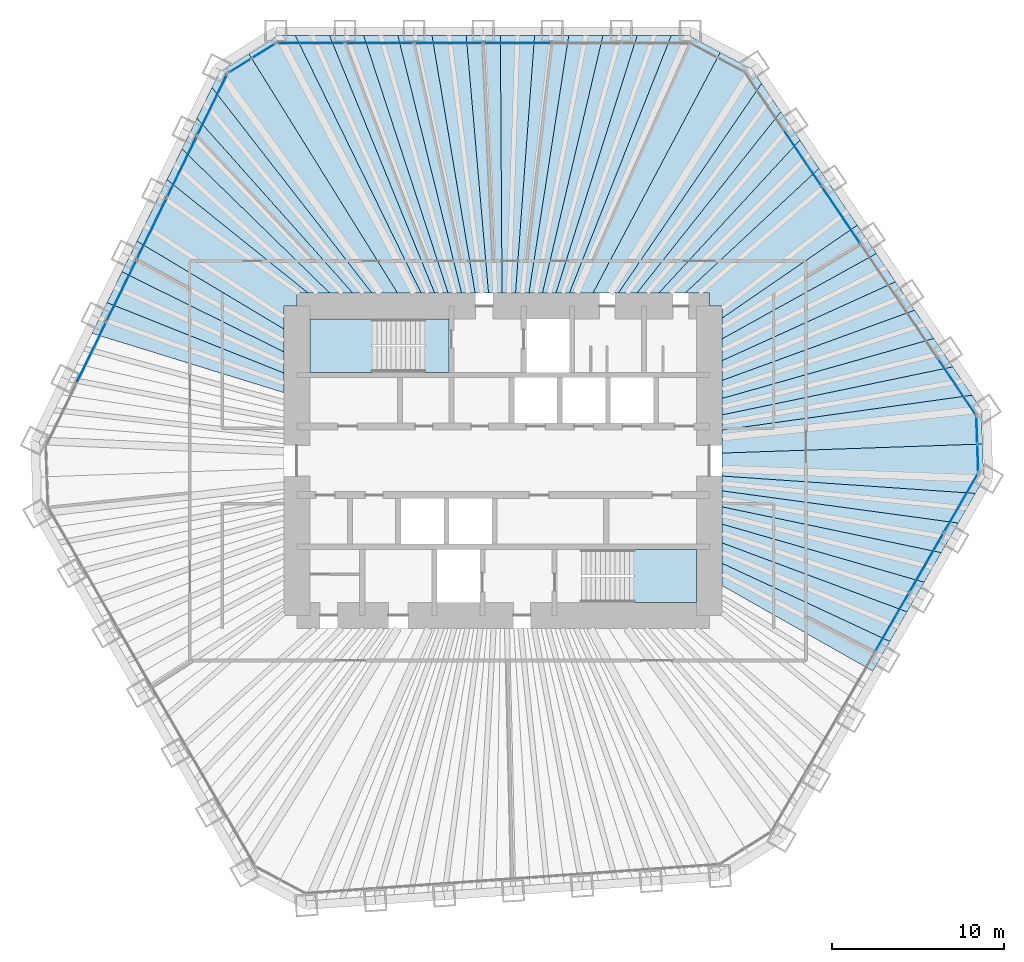
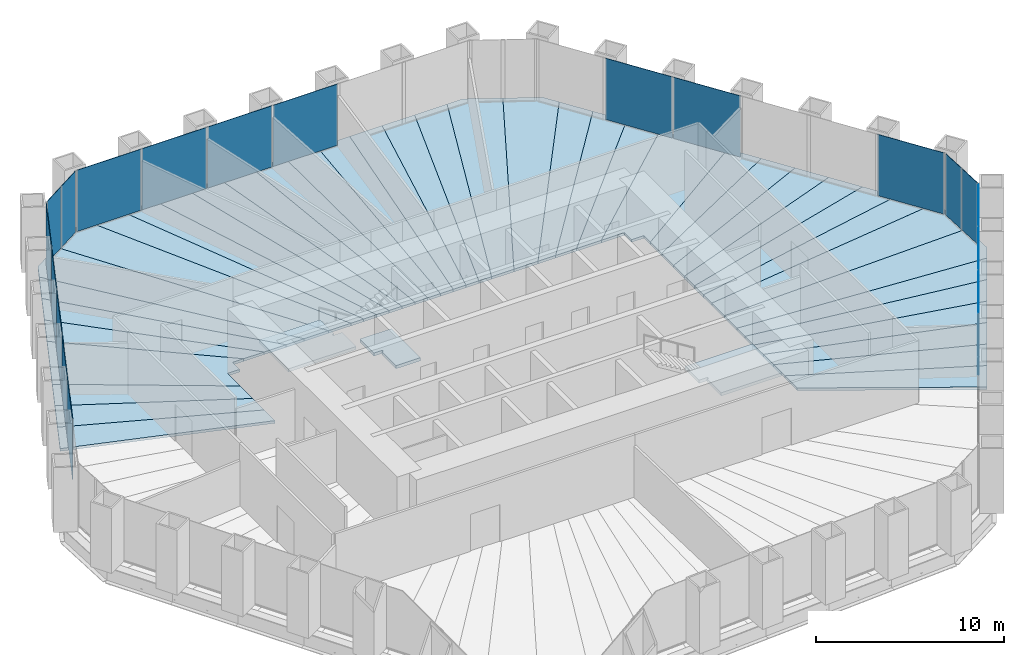
# One storey, part 9 of 13: 43 slabs, 19 plates, 8 elements without a shape of their own.
"""IFC4 building model written with IfcOpenShell, lengths in metres."""

from ifc_helpers import new_model, si_unit, direction, frame, origin, origin_2d, place, context, subcontext, project, spatial, polyline, rectangle, outline, extrude, material, layer, layer_set, type_object, element, aggregate, save


model = new_model("IFC4")

# Units and contexts
model_context = context("Model", 3, precision=1e-05, world=origin(), true_north=direction((0.0, 1.0)))
body_context = subcontext(model_context, "Body", "Model", "MODEL_VIEW")
ifc_project = project(units=[si_unit("LENGTHUNIT", "METRE"), si_unit("AREAUNIT", "SQUARE_METRE"), si_unit("VOLUMEUNIT", "CUBIC_METRE"), si_unit("PLANEANGLEUNIT", "RADIAN"), si_unit("MASSUNIT", "GRAM", prefix="KILO")], contexts=[model_context])

# Site, building, storey
site_placement = place(None, origin())
site = spatial("IfcSite", under=ifc_project, at=site_placement, CompositionType="ELEMENT")
building_placement = place(site_placement, origin())
building = spatial("IfcBuilding", under=site, at=building_placement, Name="Qingtian Harvest Tower", CompositionType="ELEMENT")
storey_placement = place(building_placement, frame((0.0, 0.0, 145.0)))
storey = spatial("IfcBuildingStorey", under=building, at=storey_placement, Name="L30", CompositionType="ELEMENT", Elevation=145.0)

# Slabs
ifc_material_1 = material(Name="Concrete fc' 35 MPa", Category="concrete")
ifc_layer_1 = layer(ifc_material_1, 0.169921875)
ifc_layer_set_1 = layer_set([ifc_layer_1], Name="Composite floor slab FS17 170")
slab_type_1 = type_object("IfcSlabType", Name="Composite floor slab FS17 170", PredefinedType="FLOOR", material=ifc_layer_set_1)
slab_1_placement = place(storey_placement, frame((0.0, 0.0, -0.169921875)))
element("IfcSlab", 1, at=slab_1_placement, inside=storey, type_object=slab_type_1, Name="Floor slab L30 panel D33", PredefinedType="FLOOR", context=body_context, shape_type="SweptSolid", body=[
    extrude(outline(polyline([(12.75, -5.97021484375), (22.51220703125, -10.517578125), (21.517333984375, -12.24072265625), (12.75, -7.268798828125), (12.75, -5.97021484375)])), origin(), (0.0, 0.0, 1.0), 0.169921875),
])
slab_2_placement = place(storey_placement, frame((0.0, 0.0, -0.169921875)))
element("IfcSlab", 2, at=slab_2_placement, inside=storey, type_object=slab_type_1, Name="Floor slab L30 panel D34", PredefinedType="FLOOR", context=body_context, shape_type="SweptSolid", body=[
    extrude(outline(polyline([(12.75, -4.78173828125), (23.50732421875, -8.794189453125), (22.51220703125, -10.517578125), (12.75, -5.97021484375), (12.75, -4.78173828125)])), origin(), (0.0, 0.0, 1.0), 0.169921875),
])
slab_3_placement = place(storey_placement, frame((0.0, 0.0, -0.169921875)))
element("IfcSlab", 3, at=slab_3_placement, inside=storey, type_object=slab_type_1, Name="Floor slab L30 panel D35", PredefinedType="FLOOR", context=body_context, shape_type="SweptSolid", body=[
    extrude(outline(polyline([(12.75, -3.68994140625), (24.502197265625, -7.071044921875), (23.50732421875, -8.794189453125), (12.75, -4.78173828125), (12.75, -3.68994140625)])), origin(), (0.0, 0.0, 1.0), 0.169921875),
])
slab_4_placement = place(storey_placement, frame((0.0, 0.0, -0.169921875)))
element("IfcSlab", 4, at=slab_4_placement, inside=storey, type_object=slab_type_1, Name="Floor slab L30 panel D36", PredefinedType="FLOOR", context=body_context, shape_type="SweptSolid", body=[
    extrude(outline(polyline([(12.75, -2.683349609375), (25.4970703125, -5.34765625), (24.502197265625, -7.071044921875), (12.75, -3.68994140625), (12.75, -2.683349609375)])), origin(), (0.0, 0.0, 1.0), 0.169921875),
])
slab_5_placement = place(storey_placement, frame((0.0, 0.0, -0.169921875)))
element("IfcSlab", 5, at=slab_5_placement, inside=storey, type_object=slab_type_1, Name="Floor slab L30 panel D37", PredefinedType="FLOOR", context=body_context, shape_type="SweptSolid", body=[
    extrude(outline(polyline([(12.75, -1.752685546875), (26.4921875, -3.624267578125), (25.4970703125, -5.34765625), (12.75, -2.683349609375), (12.75, -1.752685546875)])), origin(), (0.0, 0.0, 1.0), 0.169921875),
])
slab_6_placement = place(storey_placement, frame((0.0, 0.0, -0.169921875)))
element("IfcSlab", 6, at=slab_6_placement, inside=storey, type_object=slab_type_1, Name="Floor slab L30 panel D38", PredefinedType="FLOOR", context=body_context, shape_type="SweptSolid", body=[
    extrude(outline(polyline([(12.75, -0.889404296875), (27.487060546875, -1.901123046875), (26.4921875, -3.624267578125), (12.75, -1.752685546875), (12.75, -0.889404296875)])), origin(), (0.0, 0.0, 1.0), 0.169921875),
])
slab_7_placement = place(storey_placement, frame((0.0, 0.0, -0.169921875)))
element("IfcSlab", 7, at=slab_7_placement, inside=storey, type_object=slab_type_1, Name="Floor slab L30 panel D39", PredefinedType="FLOOR", context=body_context, shape_type="SweptSolid", body=[
    extrude(outline(polyline([(12.75, -0.889404296875), (12.75, 0.447509765625), (27.90185546875, 0.974365234375), (27.972900390625, -1.059814453125), (27.487060546875, -1.901123046875), (12.75, -0.889404296875)])), origin(), (0.0, 0.0, 1.0), 0.169921875),
])
slab_8_placement = place(storey_placement, frame((0.0, 0.0, -0.169921875)))
element("IfcSlab", 8, at=slab_8_placement, inside=storey, type_object=slab_type_1, Name="Floor slab L30 panel D40", PredefinedType="FLOOR", context=body_context, shape_type="SweptSolid", body=[
    extrude(outline(polyline([(12.75, 0.447509765625), (12.75, 1.79052734375), (27.287353515625, 3.81396484375), (27.830810546875, 3.008544921875), (27.90185546875, 0.974365234375), (12.75, 0.447509765625)])), origin(), (0.0, 0.0, 1.0), 0.169921875),
])
slab_9_placement = place(storey_placement, frame((0.0, 0.0, -0.169921875)))
element("IfcSlab", 9, at=slab_9_placement, inside=storey, type_object=slab_type_1, Name="Floor slab L30 panel D41", PredefinedType="FLOOR", context=body_context, shape_type="SweptSolid", body=[
    extrude(outline(polyline([(12.75, 2.671142578125), (26.1748046875, 5.463623046875), (27.287353515625, 3.81396484375), (12.75, 1.79052734375), (12.75, 2.671142578125)])), origin(), (0.0, 0.0, 1.0), 0.169921875),
])
slab_10_placement = place(storey_placement, frame((0.0, 0.0, -0.169921875)))
element("IfcSlab", 10, at=slab_10_placement, inside=storey, type_object=slab_type_1, Name="Floor slab L30 panel D42", PredefinedType="FLOOR", context=body_context, shape_type="SweptSolid", body=[
    extrude(outline(polyline([(12.75, 3.6298828125), (25.06201171875, 7.11328125), (26.1748046875, 5.463623046875), (12.75, 2.671142578125), (12.75, 3.6298828125)])), origin(), (0.0, 0.0, 1.0), 0.169921875),
])
slab_11_placement = place(storey_placement, frame((0.0, 0.0, -0.169921875)))
element("IfcSlab", 11, at=slab_11_placement, inside=storey, type_object=slab_type_1, Name="Floor slab L30 panel D43", PredefinedType="FLOOR", context=body_context, shape_type="SweptSolid", body=[
    extrude(outline(polyline([(12.75, 4.677734375), (23.94921875, 8.762939453125), (25.06201171875, 7.11328125), (12.75, 3.6298828125), (12.75, 4.677734375)])), origin(), (0.0, 0.0, 1.0), 0.169921875),
])
slab_12_placement = place(storey_placement, frame((0.0, 0.0, -0.169921875)))
element("IfcSlab", 12, at=slab_12_placement, inside=storey, type_object=slab_type_1, Name="Floor slab L30 panel D44", PredefinedType="FLOOR", context=body_context, shape_type="SweptSolid", body=[
    extrude(outline(polyline([(12.75, 5.828125), (22.83642578125, 10.41259765625), (23.94921875, 8.762939453125), (12.75, 4.677734375), (12.75, 5.828125)])), origin(), (0.0, 0.0, 1.0), 0.169921875),
])
slab_13_placement = place(storey_placement, frame((0.0, 0.0, -0.169921875)))
element("IfcSlab", 13, at=slab_13_placement, inside=storey, type_object=slab_type_1, Name="Floor slab L30 panel D45", PredefinedType="FLOOR", context=body_context, shape_type="SweptSolid", body=[
    extrude(outline(polyline([(12.75, 7.096435546875), (21.723876953125, 12.062255859375), (22.83642578125, 10.41259765625), (12.75, 5.828125), (12.75, 7.096435546875)])), origin(), (0.0, 0.0, 1.0), 0.169921875),
])
slab_14_placement = place(storey_placement, frame((0.0, 0.0, -0.169921875)))
element("IfcSlab", 14, at=slab_14_placement, inside=storey, type_object=slab_type_1, Name="Floor slab L30 panel D46", PredefinedType="FLOOR", context=body_context, shape_type="SweptSolid", body=[
    extrude(outline(polyline([(12.75, 8.30615234375), (20.61328125, 13.708740234375), (21.723876953125, 12.062255859375), (12.75, 7.096435546875), (12.75, 8.30615234375)])), origin(), (0.0, 0.0, 1.0), 0.169921875),
])
slab_15_placement = place(storey_placement, frame((0.0, 0.0, -0.169921875)))
element("IfcSlab", 15, at=slab_15_placement, inside=storey, type_object=slab_type_1, Name="Floor slab L30 panel D48", PredefinedType="FLOOR", context=body_context, shape_type="SweptSolid", body=[
    extrude(outline(polyline([(18.38623046875, 17.010498046875), (20.61328125, 13.708740234375), (12.75, 8.30615234375), (12.75, 9.0), (12.0, 9.0), (12.0, 9.75), (10.578369140625, 9.75), (18.38623046875, 17.010498046875)])), origin(), (0.0, 0.0, 1.0), 0.169921875),
])
slab_16_placement = place(storey_placement, frame((0.0, 0.0, -0.169921875)))
element("IfcSlab", 16, at=slab_16_placement, inside=storey, type_object=slab_type_1, Name="Floor slab L30 panel D49", PredefinedType="FLOOR", context=body_context, shape_type="SweptSolid", body=[
    extrude(outline(polyline([(9.0556640625, 9.75), (17.2734375, 18.66015625), (18.38623046875, 17.010498046875), (10.578369140625, 9.75), (9.0556640625, 9.75)])), origin(), (0.0, 0.0, 1.0), 0.169921875),
])
slab_17_placement = place(storey_placement, frame((0.0, 0.0, -0.169921875)))
element("IfcSlab", 17, at=slab_17_placement, inside=storey, type_object=slab_type_1, Name="Floor slab L30 panel D50", PredefinedType="FLOOR", context=body_context, shape_type="SweptSolid", body=[
    extrude(outline(polyline([(7.781494140625, 9.75), (16.16064453125, 20.31005859375), (17.2734375, 18.66015625), (9.0556640625, 9.75), (7.781494140625, 9.75)])), origin(), (0.0, 0.0, 1.0), 0.169921875),
])
slab_18_placement = place(storey_placement, frame((0.0, 0.0, -0.169921875)))
element("IfcSlab", 18, at=slab_18_placement, inside=storey, type_object=slab_type_1, Name="Floor slab L30 panel D51", PredefinedType="FLOOR", context=body_context, shape_type="SweptSolid", body=[
    extrude(outline(polyline([(6.69970703125, 9.75), (15.0478515625, 21.959716796875), (16.16064453125, 20.31005859375), (7.781494140625, 9.75), (6.69970703125, 9.75)])), origin(), (0.0, 0.0, 1.0), 0.169921875),
])
slab_19_placement = place(storey_placement, frame((0.0, 0.0, -0.169921875)))
element("IfcSlab", 19, at=slab_19_placement, inside=storey, type_object=slab_type_1, Name="Floor slab L30 panel D52", PredefinedType="FLOOR", context=body_context, shape_type="SweptSolid", body=[
    extrude(outline(polyline([(6.69970703125, 9.75), (5.224609375, 9.75), (12.634033203125, 23.759765625), (14.504638671875, 22.765380859375), (15.0478515625, 21.959716796875), (6.69970703125, 9.75)])), origin(), (0.0, 0.0, 1.0), 0.169921875),
])
slab_20_placement = place(storey_placement, frame((0.0, 0.0, -0.169921875)))
element("IfcSlab", 20, at=slab_20_placement, inside=storey, type_object=slab_type_1, Name="Floor slab L30 panel D53", PredefinedType="FLOOR", context=body_context, shape_type="SweptSolid", body=[
    extrude(outline(polyline([(3.856201171875, 9.75), (9.791015625, 24.7548828125), (10.762451171875, 24.7548828125), (12.634033203125, 23.759765625), (5.224609375, 9.75), (3.856201171875, 9.75)])), origin(), (0.0, 0.0, 1.0), 0.169921875),
])
slab_21_placement = place(storey_placement, frame((0.0, 0.0, -0.169921875)))
element("IfcSlab", 21, at=slab_21_placement, inside=storey, type_object=slab_type_1, Name="Floor slab L30 panel D54", PredefinedType="FLOOR", context=body_context, shape_type="SweptSolid", body=[
    extrude(outline(polyline([(3.072509765625, 9.75), (7.80126953125, 24.7548828125), (9.791015625, 24.7548828125), (3.856201171875, 9.75), (3.072509765625, 9.75)])), origin(), (0.0, 0.0, 1.0), 0.169921875),
])
slab_22_placement = place(storey_placement, frame((0.0, 0.0, -0.169921875)))
element("IfcSlab", 22, at=slab_22_placement, inside=storey, type_object=slab_type_1, Name="Floor slab L30 panel D55", PredefinedType="FLOOR", context=body_context, shape_type="SweptSolid", body=[
    extrude(outline(polyline([(2.288818359375, 9.75), (5.811279296875, 24.7548828125), (7.80126953125, 24.7548828125), (3.072509765625, 9.75), (2.288818359375, 9.75)])), origin(), (0.0, 0.0, 1.0), 0.169921875),
])
slab_23_placement = place(storey_placement, frame((0.0, 0.0, -0.169921875)))
element("IfcSlab", 23, at=slab_23_placement, inside=storey, type_object=slab_type_1, Name="Floor slab L30 panel D56", PredefinedType="FLOOR", context=body_context, shape_type="SweptSolid", body=[
    extrude(outline(polyline([(1.505126953125, 9.75), (3.821533203125, 24.7548828125), (5.811279296875, 24.7548828125), (2.288818359375, 9.75), (1.505126953125, 9.75)])), origin(), (0.0, 0.0, 1.0), 0.169921875),
])
slab_24_placement = place(storey_placement, frame((0.0, 0.0, -0.169921875)))
element("IfcSlab", 24, at=slab_24_placement, inside=storey, type_object=slab_type_1, Name="Floor slab L30 panel D57", PredefinedType="FLOOR", context=body_context, shape_type="SweptSolid", body=[
    extrude(outline(polyline([(0.721435546875, 9.75), (1.831787109375, 24.7548828125), (3.821533203125, 24.7548828125), (1.505126953125, 9.75), (0.721435546875, 9.75)])), origin(), (0.0, 0.0, 1.0), 0.169921875),
])
slab_25_placement = place(storey_placement, frame((0.0, 0.0, -0.169921875)))
element("IfcSlab", 25, at=slab_25_placement, inside=storey, type_object=slab_type_1, Name="Floor slab L30 panel D58", PredefinedType="FLOOR", context=body_context, shape_type="SweptSolid", body=[
    extrude(outline(polyline([(-0.062255859375, 9.75), (-0.158203125, 24.7548828125), (1.831787109375, 24.7548828125), (0.721435546875, 9.75), (-0.062255859375, 9.75)])), origin(), (0.0, 0.0, 1.0), 0.169921875),
])
slab_26_placement = place(storey_placement, frame((0.0, 0.0, -0.169921875)))
element("IfcSlab", 26, at=slab_26_placement, inside=storey, type_object=slab_type_1, Name="Floor slab L30 panel D59", PredefinedType="FLOOR", context=body_context, shape_type="SweptSolid", body=[
    extrude(outline(polyline([(-0.845947265625, 9.75), (-2.14794921875, 24.7548828125), (-0.158203125, 24.7548828125), (-0.062255859375, 9.75), (-0.845947265625, 9.75)])), origin(), (0.0, 0.0, 1.0), 0.169921875),
])
slab_27_placement = place(storey_placement, frame((0.0, 0.0, -0.169921875)))
element("IfcSlab", 27, at=slab_27_placement, inside=storey, type_object=slab_type_1, Name="Floor slab L30 panel D60", PredefinedType="FLOOR", context=body_context, shape_type="SweptSolid", body=[
    extrude(outline(polyline([(-1.629638671875, 9.75), (-4.137939453125, 24.7548828125), (-2.14794921875, 24.7548828125), (-0.845947265625, 9.75), (-1.629638671875, 9.75)])), origin(), (0.0, 0.0, 1.0), 0.169921875),
])
slab_28_placement = place(storey_placement, frame((0.0, 0.0, -0.169921875)))
element("IfcSlab", 28, at=slab_28_placement, inside=storey, type_object=slab_type_1, Name="Floor slab L30 panel D61", PredefinedType="FLOOR", context=body_context, shape_type="SweptSolid", body=[
    extrude(outline(polyline([(-2.41357421875, 9.75), (-6.127685546875, 24.7548828125), (-4.137939453125, 24.7548828125), (-1.629638671875, 9.75), (-2.41357421875, 9.75)])), origin(), (0.0, 0.0, 1.0), 0.169921875),
])
slab_29_placement = place(storey_placement, frame((0.0, 0.0, -0.169921875)))
element("IfcSlab", 29, at=slab_29_placement, inside=storey, type_object=slab_type_1, Name="Floor slab L30 panel D62", PredefinedType="FLOOR", context=body_context, shape_type="SweptSolid", body=[
    extrude(outline(polyline([(-3.197265625, 9.75), (-8.117431640625, 24.7548828125), (-6.127685546875, 24.7548828125), (-2.41357421875, 9.75), (-3.197265625, 9.75)])), origin(), (0.0, 0.0, 1.0), 0.169921875),
])
slab_30_placement = place(storey_placement, frame((0.0, 0.0, -0.169921875)))
element("IfcSlab", 30, at=slab_30_placement, inside=storey, type_object=slab_type_1, Name="Floor slab L30 panel D63", PredefinedType="FLOOR", context=body_context, shape_type="SweptSolid", body=[
    extrude(outline(polyline([(-3.98095703125, 9.75), (-10.107421875, 24.7548828125), (-8.117431640625, 24.7548828125), (-3.197265625, 9.75), (-3.98095703125, 9.75)])), origin(), (0.0, 0.0, 1.0), 0.169921875),
])
slab_31_placement = place(storey_placement, frame((0.0, 0.0, -0.169921875)))
element("IfcSlab", 31, at=slab_31_placement, inside=storey, type_object=slab_type_1, Name="Floor slab L30 panel D64", PredefinedType="FLOOR", context=body_context, shape_type="SweptSolid", body=[
    extrude(outline(polyline([(-4.7646484375, 9.75), (-12.09716796875, 24.7548828125), (-10.107421875, 24.7548828125), (-3.98095703125, 9.75), (-4.7646484375, 9.75)])), origin(), (0.0, 0.0, 1.0), 0.169921875),
])
slab_32_placement = place(storey_placement, frame((0.0, 0.0, -0.169921875)))
element("IfcSlab", 32, at=slab_32_placement, inside=storey, type_object=slab_type_1, Name="Floor slab L30 panel D65", PredefinedType="FLOOR", context=body_context, shape_type="SweptSolid", body=[
    extrude(outline(polyline([(-4.7646484375, 9.75), (-6.13671875, 9.75), (-14.795166015625, 23.676025390625), (-13.068603515625, 24.7548828125), (-12.09716796875, 24.7548828125), (-4.7646484375, 9.75)])), origin(), (0.0, 0.0, 1.0), 0.169921875),
])
slab_33_placement = place(storey_placement, frame((0.0, 0.0, -0.169921875)))
element("IfcSlab", 33, at=slab_33_placement, inside=storey, type_object=slab_type_1, Name="Floor slab L30 panel D66", PredefinedType="FLOOR", context=body_context, shape_type="SweptSolid", body=[
    extrude(outline(polyline([(-6.13671875, 9.75), (-7.62646484375, 9.75), (-16.94677734375, 21.724609375), (-16.520751953125, 22.597900390625), (-14.795166015625, 23.676025390625), (-6.13671875, 9.75)])), origin(), (0.0, 0.0, 1.0), 0.169921875),
])
slab_34_placement = place(storey_placement, frame((0.0, 0.0, -0.169921875)))
element("IfcSlab", 34, at=slab_34_placement, inside=storey, type_object=slab_type_1, Name="Floor slab L30 panel D67", PredefinedType="FLOOR", context=body_context, shape_type="SweptSolid", body=[
    extrude(outline(polyline([(-8.74169921875, 9.75), (-17.819091796875, 19.93603515625), (-16.94677734375, 21.724609375), (-7.62646484375, 9.75), (-8.74169921875, 9.75)])), origin(), (0.0, 0.0, 1.0), 0.169921875),
])
slab_35_placement = place(storey_placement, frame((0.0, 0.0, -0.169921875)))
element("IfcSlab", 35, at=slab_35_placement, inside=storey, type_object=slab_type_1, Name="Floor slab L30 panel D68", PredefinedType="FLOOR", context=body_context, shape_type="SweptSolid", body=[
    extrude(outline(polyline([(-10.077880859375, 9.75), (-18.69140625, 18.1474609375), (-17.819091796875, 19.93603515625), (-8.74169921875, 9.75), (-10.077880859375, 9.75)])), origin(), (0.0, 0.0, 1.0), 0.169921875),
])
slab_36_placement = place(storey_placement, frame((0.0, 0.0, -0.169921875)))
element("IfcSlab", 36, at=slab_36_placement, inside=storey, type_object=slab_type_1, Name="Floor slab L30 panel D69", PredefinedType="FLOOR", context=body_context, shape_type="SweptSolid", body=[
    extrude(outline(polyline([(-11.329345703125, 9.75), (-19.561279296875, 16.364013671875), (-18.69140625, 18.1474609375), (-10.077880859375, 9.75), (-11.329345703125, 9.75)])), origin(), (0.0, 0.0, 1.0), 0.169921875),
])
slab_37_placement = place(storey_placement, frame((0.0, 0.0, -0.169921875)))
element("IfcSlab", 37, at=slab_37_placement, inside=storey, type_object=slab_type_1, Name="Floor slab L30 panel D70", PredefinedType="FLOOR", context=body_context, shape_type="SweptSolid", body=[
    extrude(outline(polyline([(-12.0, 9.0), (-12.75, 9.0), (-12.75, 7.662841796875), (-21.307861328125, 12.78271484375), (-19.561279296875, 16.364013671875), (-11.329345703125, 9.75), (-12.0, 9.75), (-12.0, 9.0)])), origin(), (0.0, 0.0, 1.0), 0.169921875),
])
slab_38_placement = place(storey_placement, frame((0.0, 0.0, -0.169921875)))
element("IfcSlab", 38, at=slab_38_placement, inside=storey, type_object=slab_type_1, Name="Floor slab L30 panel D72", PredefinedType="FLOOR", context=body_context, shape_type="SweptSolid", body=[
    extrude(outline(polyline([(-12.75, 6.332275390625), (-22.18017578125, 10.994384765625), (-21.307861328125, 12.78271484375), (-12.75, 7.662841796875), (-12.75, 6.332275390625)])), origin(), (0.0, 0.0, 1.0), 0.169921875),
])
slab_39_placement = place(storey_placement, frame((0.0, 0.0, -0.169921875)))
element("IfcSlab", 39, at=slab_39_placement, inside=storey, type_object=slab_type_1, Name="Floor slab L30 panel D73", PredefinedType="FLOOR", context=body_context, shape_type="SweptSolid", body=[
    extrude(outline(polyline([(-12.75, 5.1025390625), (-23.052490234375, 9.205810546875), (-22.18017578125, 10.994384765625), (-12.75, 6.332275390625), (-12.75, 5.1025390625)])), origin(), (0.0, 0.0, 1.0), 0.169921875),
])
slab_40_placement = place(storey_placement, frame((0.0, 0.0, -0.169921875)))
element("IfcSlab", 40, at=slab_40_placement, inside=storey, type_object=slab_type_1, Name="Floor slab L30 panel D74", PredefinedType="FLOOR", context=body_context, shape_type="SweptSolid", body=[
    extrude(outline(polyline([(-12.75, 3.962646484375), (-23.9248046875, 7.417236328125), (-23.052490234375, 9.205810546875), (-12.75, 5.1025390625), (-12.75, 3.962646484375)])), origin(), (0.0, 0.0, 1.0), 0.169921875),
])

# Curtain wall, plates
ifc_material_2 = material(Name="Bronze-anodised aluminium curtain wall", Category="aluminium")
curtain_wall_type = type_object("IfcCurtainWallType", Name="Curtain wall CW4 office", PredefinedType="USERDEFINED", material=ifc_material_2)
curtain_wall_1_placement = place(storey_placement, origin())
curtain_wall_1 = element("IfcCurtainWall", 41, at=curtain_wall_1_placement, inside=storey, type_object=curtain_wall_type, Name="Curtain wall CW4 L30 N0-5", ObjectType="RECESSED CURTAIN WALL", PredefinedType="USERDEFINED")
ifc_material_3 = material(Name="Bronze-tinted laminated insulating glass", Category="glass")
ifc_layer_2 = layer(ifc_material_3, 0.030029296875)
ifc_layer_set_2 = layer_set([ifc_layer_2], Name="Glazed panel CWP tinted IGU")
plate_type = type_object("IfcPlateType", Name="Glazed panel CWP tinted IGU", PredefinedType="CURTAIN_PANEL", material=ifc_layer_set_2)
plate_1_placement = place(storey_placement, frame((-11.196044921875, 24.300048828125, 0.06494140625), z_axis=(0.0, 0.0, 1.0), x_axis=(1.0, 0.0, 0.0)))
plate_1 = element("IfcPlate", 42, at=plate_1_placement, type_object=plate_type, Name="CW4 panel 1.1", PredefinedType="CURTAIN_PANEL", context=body_context, shape_type="SweptSolid", body=[
    extrude(rectangle(XDim=3.921630859375, YDim=0.030029296875, at=origin_2d()), origin(), (0.0, 0.0, 1.0), 3.965087890625),
])
plate_2_placement = place(storey_placement, frame((-7.193115234375, 24.300048828125, 0.06494140625), z_axis=(0.0, 0.0, 1.0), x_axis=(1.0, 0.0, 0.0)))
plate_2 = element("IfcPlate", 43, at=plate_2_placement, type_object=plate_type, Name="CW4 panel 2.1", PredefinedType="CURTAIN_PANEL", context=body_context, shape_type="SweptSolid", body=[
    extrude(rectangle(XDim=3.9541015625, YDim=0.030029296875, at=origin_2d()), origin(), (0.0, 0.0, 1.0), 3.965087890625),
])
plate_3_placement = place(storey_placement, frame((-3.174072265625, 24.300048828125, 0.06494140625), z_axis=(0.0, 0.0, 1.0), x_axis=(1.0, 0.0, 0.0)))
plate_3 = element("IfcPlate", 44, at=plate_3_placement, type_object=plate_type, Name="CW4 panel 3.1", PredefinedType="CURTAIN_PANEL", context=body_context, shape_type="SweptSolid", body=[
    extrude(rectangle(XDim=3.9541015625, YDim=0.030029296875, at=origin_2d()), origin(), (0.0, 0.0, 1.0), 3.965087890625),
])
plate_4_placement = place(storey_placement, frame((0.844970703125, 24.300048828125, 0.06494140625), z_axis=(0.0, 0.0, 1.0), x_axis=(1.0, 0.0, 0.0)))
plate_4 = element("IfcPlate", 45, at=plate_4_placement, type_object=plate_type, Name="CW4 panel 4.1", PredefinedType="CURTAIN_PANEL", context=body_context, shape_type="SweptSolid", body=[
    extrude(rectangle(XDim=3.9541015625, YDim=0.030029296875, at=origin_2d()), origin(), (0.0, 0.0, 1.0), 3.965087890625),
])
aggregate(curtain_wall_1, [plate_1, plate_2, plate_3, plate_4])

curtain_wall_2_placement = place(storey_placement, origin())
curtain_wall_2 = element("IfcCurtainWall", 46, at=curtain_wall_2_placement, inside=storey, type_object=curtain_wall_type, Name="Curtain wall CW4 L30 NE0-5", ObjectType="RECESSED CURTAIN WALL", PredefinedType="USERDEFINED")
plate_5_placement = place(storey_placement, frame((17.425537109375, 17.620849609375, 0.06494140625), z_axis=(0.0, 0.0, 1.0), x_axis=(0.559192903471, -0.829037572555, 0.0)))
plate_5 = element("IfcPlate", 47, at=plate_5_placement, type_object=plate_type, Name="CW4 panel 2.1", PredefinedType="CURTAIN_PANEL", context=body_context, shape_type="SweptSolid", body=[
    extrude(rectangle(XDim=3.9541015625, YDim=0.030029296875, at=origin_2d()), origin(), (0.0, 0.0, 1.0), 3.965087890625),
])
plate_6_placement = place(storey_placement, frame((19.673095703125, 14.2890625, 0.06494140625), z_axis=(0.0, 0.0, 1.0), x_axis=(0.559192903471, -0.829037572555, 0.0)))
plate_6 = element("IfcPlate", 48, at=plate_6_placement, type_object=plate_type, Name="CW4 panel 3.1", PredefinedType="CURTAIN_PANEL", context=body_context, shape_type="SweptSolid", body=[
    extrude(rectangle(XDim=3.9541015625, YDim=0.030029296875, at=origin_2d()), origin(), (0.0, 0.0, 1.0), 3.965087890625),
])
plate_7_placement = place(storey_placement, frame((26.40625, 4.306640625, 0.06494140625), z_axis=(0.0, 0.0, 1.0), x_axis=(0.559192903471, -0.829037572555, 0.0)))
plate_7 = element("IfcPlate", 49, at=plate_7_placement, type_object=plate_type, Name="CW4 panel 6.1", PredefinedType="CURTAIN_PANEL", context=body_context, shape_type="SweptSolid", body=[
    extrude(rectangle(XDim=3.921630859375, YDim=0.030029296875, at=origin_2d()), origin(), (0.0, 0.0, 1.0), 3.965087890625),
])
aggregate(curtain_wall_2, [plate_5, plate_6, plate_7])

curtain_wall_3_placement = place(storey_placement, origin())
curtain_wall_3 = element("IfcCurtainWall", 50, at=curtain_wall_3_placement, inside=storey, type_object=curtain_wall_type, Name="Curtain wall CW4 L30 NEC", ObjectType="RECESSED CURTAIN WALL", PredefinedType="USERDEFINED")
plate_8_placement = place(storey_placement, frame((27.568603515625, 1.779052734375, 0.06494140625), z_axis=(0.0, 0.0, 1.0), x_axis=(0.034899496703, -0.999390827019, 0.0)))
plate_8 = element("IfcPlate", 51, at=plate_8_placement, type_object=plate_type, Name="CW4 panel 1.1", PredefinedType="CURTAIN_PANEL", context=body_context, shape_type="SweptSolid", body=[
    extrude(rectangle(XDim=1.56689453125, YDim=0.030029296875, at=origin_2d()), origin(), (0.0, 0.0, 1.0), 3.965087890625),
])
plate_9_placement = place(storey_placement, frame((27.625732421875, 0.148193359375, 0.06494140625), z_axis=(0.0, 0.0, 1.0), x_axis=(0.034899496703, -0.999390827019, 0.0)))
plate_9 = element("IfcPlate", 52, at=plate_9_placement, type_object=plate_type, Name="CW4 panel 2.1", PredefinedType="CURTAIN_PANEL", context=body_context, shape_type="SweptSolid", body=[
    extrude(rectangle(XDim=1.56689453125, YDim=0.030029296875, at=origin_2d()), origin(), (0.0, 0.0, 1.0), 3.965087890625),
])
aggregate(curtain_wall_3, [plate_8, plate_9])

curtain_wall_4_placement = place(storey_placement, origin())
curtain_wall_4 = element("IfcCurtainWall", 53, at=curtain_wall_4_placement, inside=storey, type_object=curtain_wall_type, Name="Curtain wall CW4 L30 SE0-5", ObjectType="RECESSED CURTAIN WALL", PredefinedType="USERDEFINED")
plate_10_placement = place(storey_placement, frame((26.642333984375, -2.4541015625, 0.06494140625), z_axis=(0.0, 0.0, 1.0), x_axis=(-0.5, -0.866025403784, 0.0)))
plate_10 = element("IfcPlate", 54, at=plate_10_placement, type_object=plate_type, Name="CW4 panel 1.1", PredefinedType="CURTAIN_PANEL", context=body_context, shape_type="SweptSolid", body=[
    extrude(rectangle(XDim=3.921630859375, YDim=0.030029296875, at=origin_2d()), origin(), (0.0, 0.0, 1.0), 3.965087890625),
])
plate_11_placement = place(storey_placement, frame((24.640869140625, -5.920654296875, 0.06494140625), z_axis=(0.0, 0.0, 1.0), x_axis=(-0.5, -0.866025403784, 0.0)))
plate_11 = element("IfcPlate", 55, at=plate_11_placement, type_object=plate_type, Name="CW4 panel 2.1", PredefinedType="CURTAIN_PANEL", context=body_context, shape_type="SweptSolid", body=[
    extrude(rectangle(XDim=3.9541015625, YDim=0.030029296875, at=origin_2d()), origin(), (0.0, 0.0, 1.0), 3.965087890625),
])
plate_12_placement = place(storey_placement, frame((22.63134765625, -9.401123046875, 0.06494140625), z_axis=(0.0, 0.0, 1.0), x_axis=(-0.5, -0.866025403784, 0.0)))
plate_12 = element("IfcPlate", 56, at=plate_12_placement, type_object=plate_type, Name="CW4 panel 3.1", PredefinedType="CURTAIN_PANEL", context=body_context, shape_type="SweptSolid", body=[
    extrude(rectangle(XDim=3.9541015625, YDim=0.030029296875, at=origin_2d()), origin(), (0.0, 0.0, 1.0), 3.965087890625),
])
aggregate(curtain_wall_4, [plate_10, plate_11, plate_12])

curtain_wall_5_placement = place(storey_placement, origin())
curtain_wall_5 = element("IfcCurtainWall", 57, at=curtain_wall_5_placement, inside=storey, type_object=curtain_wall_type, Name="Curtain wall CW4 L30 NW0-5", ObjectType="RECESSED CURTAIN WALL", PredefinedType="USERDEFINED")
plate_13_placement = place(storey_placement, frame((-23.972900390625, 6.280517578125, 0.06494140625), z_axis=(0.0, 0.0, 1.0), x_axis=(0.438371146789, 0.898794046299, 0.0)))
plate_13 = element("IfcPlate", 58, at=plate_13_placement, type_object=plate_type, Name="CW4 panel 2.1", PredefinedType="CURTAIN_PANEL", context=body_context, shape_type="SweptSolid", body=[
    extrude(rectangle(XDim=3.9541015625, YDim=0.030029296875, at=origin_2d()), origin(), (0.0, 0.0, 1.0), 3.965087890625),
])
plate_14_placement = place(storey_placement, frame((-22.211181640625, 9.892822265625, 0.06494140625), z_axis=(0.0, 0.0, 1.0), x_axis=(0.438371146789, 0.898794046299, 0.0)))
plate_14 = element("IfcPlate", 59, at=plate_14_placement, type_object=plate_type, Name="CW4 panel 3.1", PredefinedType="CURTAIN_PANEL", context=body_context, shape_type="SweptSolid", body=[
    extrude(rectangle(XDim=3.9541015625, YDim=0.030029296875, at=origin_2d()), origin(), (0.0, 0.0, 1.0), 3.965087890625),
])
plate_15_placement = place(storey_placement, frame((-20.44921875, 13.505126953125, 0.06494140625), z_axis=(0.0, 0.0, 1.0), x_axis=(0.438371146789, 0.898794046299, 0.0)))
plate_15 = element("IfcPlate", 60, at=plate_15_placement, type_object=plate_type, Name="CW4 panel 4.1", PredefinedType="CURTAIN_PANEL", context=body_context, shape_type="SweptSolid", body=[
    extrude(rectangle(XDim=3.9541015625, YDim=0.030029296875, at=origin_2d()), origin(), (0.0, 0.0, 1.0), 3.965087890625),
])
plate_16_placement = place(storey_placement, frame((-18.6875, 17.117431640625, 0.06494140625), z_axis=(0.0, 0.0, 1.0), x_axis=(0.438371146789, 0.898794046299, 0.0)))
plate_16 = element("IfcPlate", 61, at=plate_16_placement, type_object=plate_type, Name="CW4 panel 5.1", PredefinedType="CURTAIN_PANEL", context=body_context, shape_type="SweptSolid", body=[
    extrude(rectangle(XDim=3.9541015625, YDim=0.030029296875, at=origin_2d()), origin(), (0.0, 0.0, 1.0), 3.965087890625),
])
plate_17_placement = place(storey_placement, frame((-16.9326171875, 20.71533203125, 0.06494140625), z_axis=(0.0, 0.0, 1.0), x_axis=(0.438371146789, 0.898794046299, 0.0)))
plate_17 = element("IfcPlate", 62, at=plate_17_placement, type_object=plate_type, Name="CW4 panel 6.1", PredefinedType="CURTAIN_PANEL", context=body_context, shape_type="SweptSolid", body=[
    extrude(rectangle(XDim=3.921630859375, YDim=0.030029296875, at=origin_2d()), origin(), (0.0, 0.0, 1.0), 3.965087890625),
])
aggregate(curtain_wall_5, [plate_13, plate_14, plate_15, plate_16, plate_17])

curtain_wall_6_placement = place(storey_placement, origin())
curtain_wall_6 = element("IfcCurtainWall", 63, at=curtain_wall_6_placement, inside=storey, type_object=curtain_wall_type, Name="Curtain wall CW4 L30 NWC", ObjectType="RECESSED CURTAIN WALL", PredefinedType="USERDEFINED")
plate_18_placement = place(storey_placement, frame((-15.3251953125, 22.985595703125, 0.06494140625), z_axis=(0.0, 0.0, 1.0), x_axis=(0.848048096156, 0.529919264233, 0.0)))
plate_18 = element("IfcPlate", 64, at=plate_18_placement, type_object=plate_type, Name="CW4 panel 1.1", PredefinedType="CURTAIN_PANEL", context=body_context, shape_type="SweptSolid", body=[
    extrude(rectangle(XDim=1.56689453125, YDim=0.030029296875, at=origin_2d()), origin(), (0.0, 0.0, 1.0), 3.965087890625),
])
plate_19_placement = place(storey_placement, frame((-13.941162109375, 23.850341796875, 0.06494140625), z_axis=(0.0, 0.0, 1.0), x_axis=(0.848048096156, 0.529919264233, 0.0)))
plate_19 = element("IfcPlate", 65, at=plate_19_placement, type_object=plate_type, Name="CW4 panel 2.1", PredefinedType="CURTAIN_PANEL", context=body_context, shape_type="SweptSolid", body=[
    extrude(rectangle(XDim=1.56689453125, YDim=0.030029296875, at=origin_2d()), origin(), (0.0, 0.0, 1.0), 3.965087890625),
])
aggregate(curtain_wall_6, [plate_18, plate_19])

# Stair, slabs
ifc_material_4 = material(Name="Concrete fc' 35 MPa", Category="concrete")
stair_type = type_object("IfcStairType", Name="Special stair ST3 4200", PredefinedType="HALF_TURN_STAIR", material=ifc_material_4)
stair_1_placement = place(storey_placement, origin())
stair_1 = element("IfcStair", 66, at=stair_1_placement, inside=storey, type_object=stair_type, Name="Special stair S1 L30", PredefinedType="HALF_TURN_STAIR")
ifc_material_5 = material(Name="Concrete fc' 35 MPa", Category="concrete")
ifc_layer_3 = layer(ifc_material_5, 0.199951171875)
ifc_layer_set_3 = layer_set([ifc_layer_3], Name="Stair landing SL2 200")
slab_type_2 = type_object("IfcSlabType", Name="Stair landing SL2 200", PredefinedType="LANDING", material=ifc_layer_set_3)
slab_41_placement = place(storey_placement, frame((0.0, 0.0, -0.199951171875)))
slab_41 = element("IfcSlab", 67, at=slab_41_placement, type_object=slab_type_2, Name="S1 landing 1", PredefinedType="LANDING", context=body_context, shape_type="SweptSolid", body=[
    extrude(outline(polyline([(-4.64990234375, 5.14990234375), (-4.64990234375, 6.64990234375), (-4.550048828125, 6.64990234375), (-4.550048828125, 6.75), (-5.0849609375, 6.75), (-5.0849609375, 8.25), (-3.14990234375, 8.25), (-3.14990234375, 5.14990234375), (-4.64990234375, 5.14990234375)])), origin(), (0.0, 0.0, 1.0), 0.199951171875),
])
slab_42_placement = place(storey_placement, frame((0.0, 0.0, 1.89990234375)))
slab_42 = element("IfcSlab", 68, at=slab_42_placement, type_object=slab_type_2, Name="S1 landing 2", PredefinedType="LANDING", context=body_context, shape_type="SweptSolid", body=[
    extrude(outline(polyline([(-7.094970703125, 5.14990234375), (-11.25, 5.14990234375), (-11.25, 8.25), (-7.530029296875, 8.25), (-7.530029296875, 6.75), (-7.6298828125, 6.75), (-7.6298828125, 6.64990234375), (-7.094970703125, 6.64990234375), (-7.094970703125, 5.14990234375)])), origin(), (0.0, 0.0, 1.0), 0.2001953125),
])
aggregate(stair_1, [slab_41, slab_42])

# Stair, slab
stair_2_placement = place(storey_placement, origin())
stair_2 = element("IfcStair", 69, at=stair_2_placement, inside=storey, type_object=stair_type, Name="Special stair S2 L30", PredefinedType="HALF_TURN_STAIR")
slab_43_placement = place(storey_placement, frame((0.0, 0.0, 1.89990234375)))
slab_43 = element("IfcSlab", 70, at=slab_43_placement, type_object=slab_type_2, Name="S2 landing 2", PredefinedType="LANDING", context=body_context, shape_type="SweptSolid", body=[
    extrude(outline(polyline([(7.530029296875, -8.25), (7.530029296875, -6.75), (7.6298828125, -6.75), (7.6298828125, -6.64990234375), (7.094970703125, -6.64990234375), (7.094970703125, -5.14990234375), (11.25, -5.14990234375), (11.25, -8.25), (7.530029296875, -8.25)])), origin(), (0.0, 0.0, 1.0), 0.2001953125),
])
aggregate(stair_2, [slab_43])

save(model, "model.ifc")
